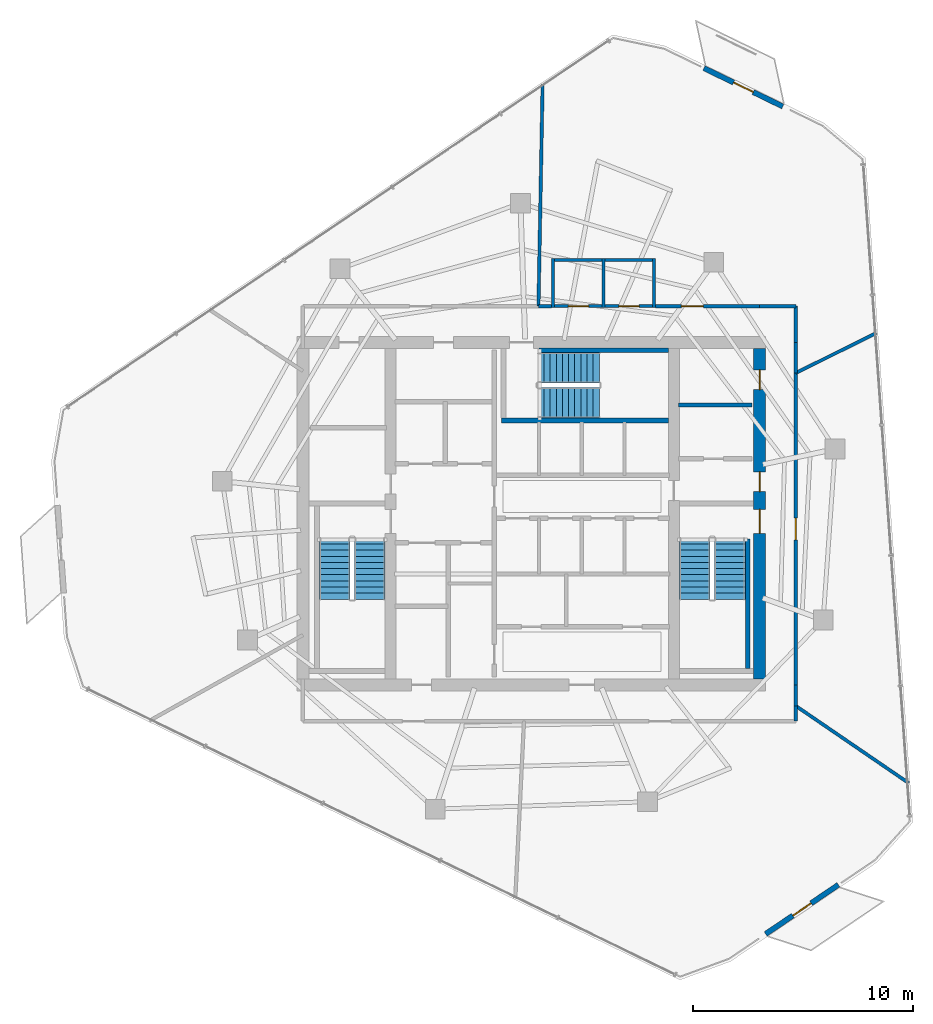
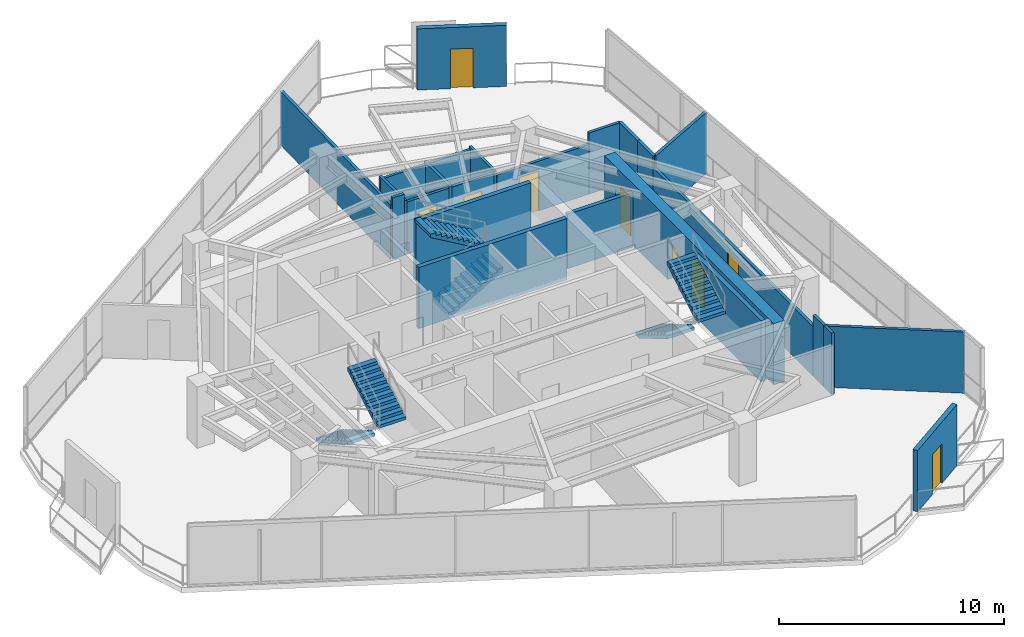
# One storey, part 18 of 20: 25 walls, 9 doors, 6 stair flights, 9 openings, 3 elements without a shape of their own.
"""IFC4 building model written with IfcOpenShell, lengths in metres."""

import ifcopenshell
import ifcopenshell.guid

model = None  # the IFC model being written
_history = None  # IfcOwnerHistory: only IFC2X3 demands one
_inside = {}  # id of a spatial element -> (the spatial element, [elements in it])
_under = {}  # id of a project, library or spatial element -> (it, [spatial elements below it])
_declared = {}  # id of a project -> (the project, [libraries it declares])
_typed = {}  # id of a type object -> (the type object, [elements of that type])
_made_of = {}  # id of a material, layer set ... -> (it, [elements and type objects made of it])


def new_model(schema):
    """Start an empty IFC model of exactly this schema.

    Asked for "IFC4X3", IfcOpenShell would pick the latest addendum, in which some entities
    have other attributes; the version numbers below select the first issue.
    IFC2X3 requires an IfcOwnerHistory on every rooted entity: one is made here for all.
    """
    global model, _history
    if schema == "IFC4X3":
        model = ifcopenshell.file(schema_version=(4, 3, 0, 0))
    else:
        model = ifcopenshell.file(schema=schema)
    _inside.clear()
    _under.clear()
    _declared.clear()
    _typed.clear()
    _made_of.clear()
    _history = None
    if model.schema == "IFC2X3":
        org = make("IfcOrganization", Name="unknown")
        user = make(
            "IfcPersonAndOrganization",
            ThePerson=make("IfcPerson", FamilyName="unknown"),
            TheOrganization=org,
        )
        app = make(
            "IfcApplication",
            ApplicationDeveloper=org,
            Version="unknown",
            ApplicationFullName="unknown",
            ApplicationIdentifier="unknown",
        )
        _history = make(
            "IfcOwnerHistory",
            OwningUser=user,
            OwningApplication=app,
            ChangeAction="ADDED",
            CreationDate=0,
        )
    return model


def make(cls, **values):
    """One entity of the class cls with the attributes given. An attribute that is None is left unset."""
    return model.create_entity(
        cls, **{name: value for name, value in values.items() if value is not None}
    )


def rooted(cls, **values):
    """An entity with a GlobalId (a new one), such as an element, a storey or a relation."""
    return make(cls, GlobalId=ifcopenshell.guid.new(), OwnerHistory=_history, **values)


def si_unit(unit_type, name, prefix=None):
    """IfcSIUnit, for example si_unit("LENGTHUNIT", "METRE", prefix="MILLI")."""
    return make("IfcSIUnit", UnitType=unit_type, Prefix=prefix, Name=name)


def assignment(units):
    """IfcUnitAssignment: the units of a project."""
    return None if units is None else make("IfcUnitAssignment", Units=units)


def point(xyz):
    """IfcCartesianPoint."""
    return None if xyz is None else make("IfcCartesianPoint", Coordinates=xyz)


def direction(xyz):
    """IfcDirection."""
    return None if xyz is None else make("IfcDirection", DirectionRatios=xyz)


def frame(location, z_axis=None, x_axis=None):
    """IfcAxis2Placement3D, a coordinate frame: its origin and axes. An axis left out is left unset."""
    return make(
        "IfcAxis2Placement3D",
        Location=point(location),
        Axis=direction(z_axis),
        RefDirection=direction(x_axis),
    )


def frame_2d(location, x_axis=None):
    """IfcAxis2Placement2D, a coordinate frame in the plane: its origin and x axis."""
    return make(
        "IfcAxis2Placement2D", Location=point(location), RefDirection=direction(x_axis)
    )


def origin():
    """The frame at (0, 0, 0) with its axes left unset."""
    return frame((0.0, 0.0, 0.0))


def place(relative_to, where):
    """IfcLocalPlacement: puts the frame where relative to a parent placement (None: the world)."""
    return make(
        "IfcLocalPlacement", PlacementRelTo=relative_to, RelativePlacement=where
    )


def context(
    kind, dimensions, precision=None, world=None, true_north=None, identifier=None
):
    """IfcGeometricRepresentationContext, for example the 3D "Model" context."""
    return make(
        "IfcGeometricRepresentationContext",
        ContextIdentifier=identifier,
        ContextType=kind,
        CoordinateSpaceDimension=dimensions,
        Precision=precision,
        WorldCoordinateSystem=world,
        TrueNorth=true_north,
    )


def subcontext(parent, identifier, kind, view, scale=None):
    """IfcGeometricRepresentationSubContext, for example "Body" below "Model"."""
    return make(
        "IfcGeometricRepresentationSubContext",
        ContextIdentifier=identifier,
        ContextType=kind,
        ParentContext=parent,
        TargetScale=scale,
        TargetView=view,
    )


def project(units=None, contexts=None):
    """IfcProject with its units and contexts."""
    return rooted(
        "IfcProject",
        Name="project",
        RepresentationContexts=contexts,
        UnitsInContext=assignment(units),
    )


def spatial(cls, under=None, at=None, **own):
    """A site, building, storey or space (cls), placed at a placement, below another one or the project."""
    s = rooted(cls, ObjectPlacement=at, **own)
    if under is not None:
        _under.setdefault(under.id(), (under, []))[1].append(s)
    return s


def polyline(points):
    """IfcPolyline through the points."""
    return make("IfcPolyline", Points=[point(p) for p in points])


def profile(cls, at=None, kind="AREA", **sizes):
    """A parametric profile (cls). Its sizes go by their IFC names, for example OverallWidth=200.0."""
    return make(cls, ProfileType=kind, Position=at, **sizes)


def rectangle(**sizes):
    """IfcRectangleProfileDef."""
    return profile("IfcRectangleProfileDef", **sizes)


def outline(outer, holes=None, kind="AREA"):
    """IfcArbitraryClosedProfileDef: a profile drawn as a closed curve; with holes, ...WithVoids."""
    if holes is None:
        return make("IfcArbitraryClosedProfileDef", ProfileType=kind, OuterCurve=outer)
    return make(
        "IfcArbitraryProfileDefWithVoids",
        ProfileType=kind,
        OuterCurve=outer,
        InnerCurves=holes,
    )


def extrude(swept, where, along, depth):
    """IfcExtrudedAreaSolid: the profile swept, set in the frame where, extruded along a direction by depth."""
    return make(
        "IfcExtrudedAreaSolid",
        SweptArea=swept,
        Position=where,
        ExtrudedDirection=direction(along),
        Depth=depth,
    )


def shape(context_of_items, identifier, shape_type, items):
    """IfcShapeRepresentation: the items that make up one representation, for example the "Body"."""
    return make(
        "IfcShapeRepresentation",
        ContextOfItems=context_of_items,
        RepresentationIdentifier=identifier,
        RepresentationType=shape_type,
        Items=items,
    )


def material(Name=None, Category=None):
    """IfcMaterial."""
    return make("IfcMaterial", Name=Name, Category=Category)


def layer(
    of_material, thickness, ventilated=None, Name=None, Category=None, Priority=None
):
    """IfcMaterialLayer: one layer of a wall or slab, of a material (None: an air gap)."""
    return make(
        "IfcMaterialLayer",
        Material=of_material,
        LayerThickness=thickness,
        IsVentilated=ventilated,
        Name=Name,
        Category=Category,
        Priority=Priority,
    )


def layer_set(layers, Name=None):
    """IfcMaterialLayerSet."""
    return make("IfcMaterialLayerSet", MaterialLayers=layers, LayerSetName=Name)


def made_of(thing, what):
    """Note that an element or type object is made of a material, layer set ...; save() writes the relation."""
    if what is not None:
        _made_of.setdefault(what.id(), (what, []))[1].append(thing)
    return thing


def type_object(cls, material=None, **own):
    """A type object (cls), such as IfcWallType, which elements share."""
    return made_of(rooted(cls, **own), material)


def element(
    cls,
    number,
    at=None,
    inside=None,
    cuts=None,
    type_object=None,
    material=None,
    context=None,
    identifier="Body",
    shape_type=None,
    held_by="IfcProductDefinitionShape",
    body=None,
    shapes=None,
    **own,
):
    """One element of the class cls, such as IfcWall. Its Tag is "e" and its number.

    at: its placement. inside: the storey or other place that contains it. cuts: it is an
    opening in that element (IfcRelVoidsElement). A single representation is given by context,
    identifier, shape_type and body (its items); several are given by shapes. held_by: the class
    of the entity that holds the representations. save() writes the other relations.
    """
    e = rooted(cls, Tag="e%d" % number, ObjectPlacement=at, **own)
    if body is not None:
        shapes = [shape(context, identifier, shape_type, body)]
    if shapes is not None:
        e.Representation = make(held_by, Representations=shapes)
    if inside is not None:
        _inside.setdefault(inside.id(), (inside, []))[1].append(e)
    if cuts is not None:
        rooted(
            "IfcRelVoidsElement", RelatingBuildingElement=cuts, RelatedOpeningElement=e
        )
    if type_object is not None:
        _typed.setdefault(type_object.id(), (type_object, []))[1].append(e)
    return made_of(e, material)


def fill(opening, filler):
    """IfcRelFillsElement: the door or window that sits in an opening."""
    return rooted(
        "IfcRelFillsElement",
        RelatingOpeningElement=opening,
        RelatedBuildingElement=filler,
    )


def aggregate(whole, parts):
    """IfcRelAggregates: a whole, such as a stair, and the parts it consists of."""
    return rooted("IfcRelAggregates", RelatingObject=whole, RelatedObjects=parts)


def save(model, path):
    """Write the relations noted so far, then the file.

    IfcRelAggregates (storeys below a building ...), IfcRelContainedInSpatialStructure (elements
    in a storey), IfcRelDefinesByType, IfcRelAssociatesMaterial and IfcRelDeclares: one each for
    every whole, place, type object, material and project.
    """
    for whole, parts in _under.values():
        aggregate(whole, parts)
    for where, things in _inside.values():
        rooted(
            "IfcRelContainedInSpatialStructure",
            RelatedElements=things,
            RelatingStructure=where,
        )
    for kind, things in _typed.values():
        rooted("IfcRelDefinesByType", RelatedObjects=things, RelatingType=kind)
    for what, things in _made_of.values():
        rooted("IfcRelAssociatesMaterial", RelatedObjects=things, RelatingMaterial=what)
    for by, libraries in _declared.values():
        rooted("IfcRelDeclares", RelatingContext=by, RelatedDefinitions=libraries)
    model.write(path)


model = new_model("IFC4")

# Units and contexts
model_context = context("Model", 3, precision=1e-05, world=origin(), true_north=direction((0.0, 1.0)))
body_context = subcontext(model_context, "Body", "Model", "MODEL_VIEW")
ifc_project = project(units=[si_unit("LENGTHUNIT", "METRE"), si_unit("AREAUNIT", "SQUARE_METRE"), si_unit("VOLUMEUNIT", "CUBIC_METRE"), si_unit("PLANEANGLEUNIT", "RADIAN"), si_unit("MASSUNIT", "GRAM", prefix="KILO")], contexts=[model_context])

# Site, building, storey
site_placement = place(None, origin())
site = spatial("IfcSite", under=ifc_project, at=site_placement, CompositionType="ELEMENT")
building_placement = place(site_placement, origin())
building = spatial("IfcBuilding", under=site, at=building_placement, Name="Qarnah Convention Tower", CompositionType="ELEMENT")
storey_placement = place(building_placement, frame((0.0, 0.0, 195.0)))
storey = spatial("IfcBuildingStorey", under=building, at=storey_placement, Name="L52", CompositionType="ELEMENT", Elevation=195.0)

# Wall, openings, doors
ifc_material_1 = material(Name="Concrete C60/75", Category="concrete")
ifc_layer_1 = layer(ifc_material_1, 0.550048828125)
ifc_layer_set_1 = layer_set([ifc_layer_1], Name="Concrete C60/75")
wall_type_1 = type_object("IfcWallType", Name="WL-CORE-550", PredefinedType="SHEAR", material=ifc_layer_set_1)
wall_1_placement = place(storey_placement, frame((47.60009765625, 18.875, 0.0), z_axis=(0.0, 0.0, 1.0), x_axis=(0.0, 1.0, 0.0)))
wall_1 = element("IfcWall", 1, at=wall_1_placement, inside=storey, type_object=wall_type_1, Name="L52 core east shear wall", PredefinedType="SHEAR", context=body_context, shape_type="SweptSolid", body=[
    extrude(rectangle(XDim=15.050048828125, YDim=0.550048828125, at=frame_2d((7.52490234375, 0.0))), origin(), (0.0, 0.0, 1.0), 3.320068359375),
])
opening_1_placement = place(wall_1_placement, frame((6.625, 0.0, 0.0)))
opening_1 = element("IfcOpeningElement", 2, at=opening_1_placement, cuts=wall_1, Name="Opening D-5202", PredefinedType="OPENING", context=body_context, shape_type="SweptSolid", body=[
    extrude(rectangle(XDim=1.10009765625, YDim=2.14990234375, at=frame_2d((0.550048828125, 1.074951171875))), frame((0.0, 0.284912109375, 0.0), z_axis=(0.0, -1.0, 0.0), x_axis=(1.0, 0.0, 0.0)), (0.0, 0.0, 1.0), 0.570068359375),
])
opening_2_placement = place(wall_1_placement, frame((8.52490234375, 0.0, 0.0)))
opening_2 = element("IfcOpeningElement", 3, at=opening_2_placement, cuts=wall_1, Name="Opening D-5206", PredefinedType="OPENING", context=body_context, shape_type="SweptSolid", body=[
    extrude(rectangle(XDim=0.89990234375, YDim=2.10009765625, at=frame_2d((0.449951171875, 1.050048828125))), frame((0.0, 0.284912109375, 0.0), z_axis=(0.0, -1.0, 0.0), x_axis=(1.0, 0.0, 0.0)), (0.0, 0.0, 1.0), 0.570068359375),
])
opening_3_placement = place(wall_1_placement, frame((13.175048828125, 0.0, 0.0)))
opening_3 = element("IfcOpeningElement", 4, at=opening_3_placement, cuts=wall_1, Name="Opening D-5212", PredefinedType="OPENING", context=body_context, shape_type="SweptSolid", body=[
    extrude(rectangle(XDim=0.89990234375, YDim=2.10009765625, at=frame_2d((0.449951171875, 1.050048828125))), frame((0.0, 0.284912109375, 0.0), z_axis=(0.0, -1.0, 0.0), x_axis=(1.0, 0.0, 0.0)), (0.0, 0.0, 1.0), 0.570068359375),
])
ifc_material_2 = material(Name="Structural steel S355JR", Category="steel")
door_type_1 = type_object("IfcDoorType", Name="DT-RISER-900", OperationType="NOTDEFINED", PredefinedType="DOOR", material=ifc_material_2)
door_1_placement = place(opening_2_placement, origin())
door_1 = element("IfcDoor", 5, at=door_1_placement, inside=storey, type_object=door_type_1, Name="Door D-5206", OperationType="SINGLE_SWING_RIGHT", OverallHeight=2.10009765625, OverallWidth=0.89990234375, PredefinedType="DOOR", context=body_context, shape_type="SweptSolid", body=[
    extrude(rectangle(XDim=0.89990234375, YDim=2.10009765625, at=frame_2d((0.449951171875, 1.050048828125))), frame((0.0, 0.02490234375, 0.0), z_axis=(0.0, -1.0, 0.0), x_axis=(1.0, 0.0, 0.0)), (0.0, 0.0, 1.0), 0.050048828125),
])
fill(opening_2, door_1)
door_2_placement = place(opening_3_placement, origin())
door_2 = element("IfcDoor", 6, at=door_2_placement, inside=storey, type_object=door_type_1, Name="Door D-5212", OperationType="SINGLE_SWING_RIGHT", OverallHeight=2.10009765625, OverallWidth=0.89990234375, PredefinedType="DOOR", context=body_context, shape_type="SweptSolid", body=[
    extrude(rectangle(XDim=0.89990234375, YDim=2.10009765625, at=frame_2d((0.449951171875, 1.050048828125))), frame((0.0, 0.02490234375, 0.0), z_axis=(0.0, -1.0, 0.0), x_axis=(1.0, 0.0, 0.0)), (0.0, 0.0, 1.0), 0.050048828125),
])
fill(opening_3, door_2)
door_type_2 = type_object("IfcDoorType", Name="DT-STAIR-1100", OperationType="NOTDEFINED", PredefinedType="DOOR", material=ifc_material_2)
door_3_placement = place(opening_1_placement, origin())
door_3 = element("IfcDoor", 7, at=door_3_placement, inside=storey, type_object=door_type_2, Name="Door D-5202", OperationType="SINGLE_SWING_RIGHT", OverallHeight=2.14990234375, OverallWidth=1.10009765625, PredefinedType="DOOR", context=body_context, shape_type="SweptSolid", body=[
    extrude(rectangle(XDim=1.10009765625, YDim=2.14990234375, at=frame_2d((0.550048828125, 1.074951171875))), frame((0.0, 0.02490234375, 0.0), z_axis=(0.0, -1.0, 0.0), x_axis=(1.0, 0.0, 0.0)), (0.0, 0.0, 1.0), 0.050048828125),
])
fill(opening_1, door_3)

# Walls
ifc_material_3 = material(Name="Concrete C45/55", Category="concrete")
ifc_layer_2 = layer(ifc_material_3, 0.199951171875)
ifc_layer_set_2 = layer_set([ifc_layer_2], Name="Concrete C45/55")
wall_type_2 = type_object("IfcWallType", Name="WL-CORE-PART-200", PredefinedType="SOLIDWALL", material=ifc_layer_set_2)
wall_2_placement = place(storey_placement, frame((43.89990234375, 31.35009765625, 0.0), z_axis=(0.0, 0.0, 1.0), x_axis=(1.0, 0.0, 0.0)))
element("IfcWall", 8, at=wall_2_placement, inside=storey, type_object=wall_type_2, Name="L52 interior wall IW-L52-WTRN", PredefinedType="SOLIDWALL", context=body_context, shape_type="SweptSolid", body=[
    extrude(rectangle(XDim=3.35009765625, YDim=0.199951171875, at=frame_2d((1.675048828125, 0.0))), origin(), (0.0, 0.0, 1.0), 2.948974609375),
])
ifc_layer_3 = layer(ifc_material_1, 0.219970703125)
ifc_layer_set_3 = layer_set([ifc_layer_3], Name="Concrete C60/75")
wall_type_3 = type_object("IfcWallType", Name="WL-CORE-STAIR-220", PredefinedType="SHEAR", material=ifc_layer_set_3)
wall_3_placement = place(storey_placement, frame((47.06005859375, 19.35009765625, 0.0), z_axis=(0.0, 0.0, 1.0), x_axis=(0.0, 1.0, 0.0)))
element("IfcWall", 9, at=wall_3_placement, inside=storey, type_object=wall_type_3, Name="L52 stair shaft shear wall SW-L52-ST2E", PredefinedType="SHEAR", context=body_context, shape_type="SweptSolid", body=[
    extrude(rectangle(XDim=5.89990234375, YDim=0.219970703125, at=frame_2d((2.949951171875, 0.0))), origin(), (0.0, 0.0, 1.0), 3.320068359375),
])
wall_4_placement = place(storey_placement, frame((35.840087890625, 30.639892578125, 0.0), z_axis=(0.0, 0.0, 1.0), x_axis=(1.0, 0.0, 0.0)))
element("IfcWall", 10, at=wall_4_placement, inside=storey, type_object=wall_type_3, Name="L52 stair shaft shear wall SW-L52-ST3S", PredefinedType="SHEAR", context=body_context, shape_type="SweptSolid", body=[
    extrude(rectangle(XDim=7.60986328125, YDim=0.219970703125, at=frame_2d((3.804931640625, 0.0))), origin(), (0.0, 0.0, 1.0), 3.320068359375),
])
wall_5_placement = place(storey_placement, frame((37.550048828125, 33.840087890625, 0.0), z_axis=(0.0, 0.0, 1.0), x_axis=(1.0, 0.0, 0.0)))
element("IfcWall", 11, at=wall_5_placement, inside=storey, type_object=wall_type_3, Name="L52 stair shaft shear wall SW-L52-ST3N", PredefinedType="SHEAR", context=body_context, shape_type="SweptSolid", body=[
    extrude(rectangle(XDim=5.89990234375, YDim=0.219970703125, at=frame_2d((2.949951171875, 0.0))), origin(), (0.0, 0.0, 1.0), 3.320068359375),
])

# Wall, opening, door
ifc_material_4 = material(Name="Precast concrete C45/55", Category="concrete")
ifc_layer_4 = layer(ifc_material_4, 0.239990234375)
ifc_layer_set_4 = layer_set([ifc_layer_4], Name="Precast concrete C45/55")
wall_type_4 = type_object("IfcWallType", Name="WL-EXT-BAL-240", PredefinedType="SOLIDWALL", material=ifc_layer_set_4)
wall_6_placement = place(storey_placement, frame((45.06396484375, 46.694091796875, 0.0), z_axis=(0.0, 0.0, 1.0), x_axis=(0.899316845603, -0.437297623152, 0.0)))
wall_6 = element("IfcWall", 12, at=wall_6_placement, inside=storey, type_object=wall_type_4, Name="L52 loggia threshold wall BAL-L52-C1", PredefinedType="SOLIDWALL", context=body_context, shape_type="SweptSolid", body=[
    extrude(rectangle(XDim=3.99951171875, YDim=0.239990234375, at=frame_2d((1.999755859375, 0.0))), origin(), (0.0, 0.0, 1.0), 3.320068359375),
])
opening_4_placement = place(wall_6_placement, frame((1.5, 0.0, 0.0)))
opening_4 = element("IfcOpeningElement", 13, at=opening_4_placement, cuts=wall_6, Name="Opening BD-5201", PredefinedType="OPENING", context=body_context, shape_type="SweptSolid", body=[
    extrude(rectangle(XDim=1.0, YDim=2.14990234375, at=frame_2d((0.5, 1.074951171875))), frame((0.0, 0.1298828125, 0.0), z_axis=(0.0, -1.0, 0.0), x_axis=(1.0, 0.0, 0.0)), (0.0, 0.0, 1.0), 0.260009765625),
])
ifc_material_5 = material(Name="Black anodised aluminium", Category="aluminium")
door_type_3 = type_object("IfcDoorType", Name="DT-BAL-1000", OperationType="NOTDEFINED", PredefinedType="DOOR", material=ifc_material_5)
door_4_placement = place(opening_4_placement, origin())
door_4 = element("IfcDoor", 14, at=door_4_placement, inside=storey, type_object=door_type_3, Name="L52 balcony terrace door BAL-L52-C1", OperationType="SINGLE_SWING_LEFT", OverallHeight=2.14990234375, OverallWidth=1.0, PredefinedType="DOOR", context=body_context, shape_type="SweptSolid", body=[
    extrude(rectangle(XDim=1.0, YDim=2.14990234375, at=frame_2d((0.5, 1.074951171875))), frame((0.0, 0.02490234375, 0.0), z_axis=(0.0, -1.0, 0.0), x_axis=(1.0, 0.0, 0.0)), (0.0, 0.0, 1.0), 0.050048828125),
])
fill(opening_4, door_4)

wall_7_placement = place(storey_placement, frame((51.18994140625, 9.4970703125, 0.0), z_axis=(0.0, 0.0, 1.0), x_axis=(-0.82830340886, -0.560279807659, 0.0)))
wall_7 = element("IfcWall", 15, at=wall_7_placement, inside=storey, type_object=wall_type_4, Name="L52 loggia threshold wall BAL-L52-C3", PredefinedType="SOLIDWALL", context=body_context, shape_type="SweptSolid", body=[
    extrude(rectangle(XDim=3.999755859375, YDim=0.239990234375, at=frame_2d((2.0, 0.0))), origin(), (0.0, 0.0, 1.0), 3.320068359375),
])
opening_5_placement = place(wall_7_placement, frame((1.5, 0.0, 0.0)))
opening_5 = element("IfcOpeningElement", 16, at=opening_5_placement, cuts=wall_7, Name="Opening BD-5203", PredefinedType="OPENING", context=body_context, shape_type="SweptSolid", body=[
    extrude(rectangle(XDim=1.0, YDim=2.14990234375, at=frame_2d((0.5, 1.074951171875))), frame((0.0, 0.1298828125, 0.0), z_axis=(0.0, -1.0, 0.0), x_axis=(1.0, 0.0, 0.0)), (0.0, 0.0, 1.0), 0.260009765625),
])
door_5_placement = place(opening_5_placement, origin())
door_5 = element("IfcDoor", 17, at=door_5_placement, inside=storey, type_object=door_type_3, Name="L52 balcony terrace door BAL-L52-C3", OperationType="SINGLE_SWING_LEFT", OverallHeight=2.14990234375, OverallWidth=1.0, PredefinedType="DOOR", context=body_context, shape_type="SweptSolid", body=[
    extrude(rectangle(XDim=1.0, YDim=2.14990234375, at=frame_2d((0.5, 1.074951171875))), frame((0.0, 0.02490234375, 0.0), z_axis=(0.0, -1.0, 0.0), x_axis=(1.0, 0.0, 0.0)), (0.0, 0.0, 1.0), 0.050048828125),
])
fill(opening_5, door_5)

# Walls
ifc_material_6 = material(Name="Gypsum partition board")
ifc_layer_5 = layer(ifc_material_6, 0.14990234375)
ifc_layer_set_5 = layer_set([ifc_layer_5], Name="Gypsum partition board")
wall_type_5 = type_object("IfcWallType", Name="WL-SUITE-150", PredefinedType="PARTITIONING", material=ifc_layer_set_5)
wall_8_placement = place(storey_placement, frame((37.718994140625, 45.97998046875, 0.0), z_axis=(0.0, 0.0, 1.0), x_axis=(-0.018650953611, -0.999826055836, 0.0)))
element("IfcWall", 18, at=wall_8_placement, inside=storey, type_object=wall_type_5, Name="L52 interior wall IW-L52-R-08", PredefinedType="PARTITIONING", context=body_context, shape_type="SweptSolid", body=[
    extrude(rectangle(XDim=10.131591796875, YDim=0.14990234375, at=frame_2d((5.06591796875, 0.0))), origin(), (0.0, 0.0, 1.0), 2.905029296875),
])
wall_9_placement = place(storey_placement, frame((37.530029296875, 35.85009765625, 0.0), z_axis=(0.0, 0.0, 1.0), x_axis=(1.0, 0.0, 0.0)))
element("IfcWall", 19, at=wall_9_placement, inside=storey, type_object=wall_type_5, Name="L52 interior wall IW-L52-R-09", PredefinedType="PARTITIONING", context=body_context, shape_type="SweptSolid", body=[
    extrude(rectangle(XDim=0.599853515625, YDim=0.14990234375, at=frame_2d((0.2998046875, 0.0))), origin(), (0.0, 0.0, 1.0), 3.320068359375),
])

# Wall, opening, door
wall_10_placement = place(storey_placement, frame((42.8701171875, 35.85009765625, 0.0), z_axis=(0.0, 0.0, 1.0), x_axis=(1.0, 0.0, 0.0)))
wall_10 = element("IfcWall", 20, at=wall_10_placement, inside=storey, type_object=wall_type_5, Name="L52 interior wall IW-L52-R-10", PredefinedType="PARTITIONING", context=body_context, shape_type="SweptSolid", body=[
    extrude(rectangle(XDim=4.72998046875, YDim=0.14990234375, at=frame_2d((2.364990234375, 0.0))), origin(), (0.0, 0.0, 1.0), 2.697021484375),
])
opening_6_placement = place(wall_10_placement, frame((1.1689453125, 0.0, 0.0)))
opening_6 = element("IfcOpeningElement", 21, at=opening_6_placement, cuts=wall_10, Name="Opening D-5220", PredefinedType="OPENING", context=body_context, shape_type="SweptSolid", body=[
    extrude(rectangle(XDim=1.0, YDim=2.14990234375, at=frame_2d((0.5, 1.074951171875))), frame((0.0, 0.0849609375, 0.0), z_axis=(0.0, -1.0, 0.0), x_axis=(1.0, 0.0, 0.0)), (0.0, 0.0, 1.0), 0.169921875),
])
ifc_material_7 = material(Name="Oak timber veneer", Category="wood")
door_type_4 = type_object("IfcDoorType", Name="DT-OFFICE-1000", OperationType="NOTDEFINED", PredefinedType="DOOR", material=ifc_material_7)
door_6_placement = place(opening_6_placement, origin())
door_6 = element("IfcDoor", 22, at=door_6_placement, inside=storey, type_object=door_type_4, Name="Door D-5220", OperationType="SINGLE_SWING_RIGHT", OverallHeight=2.14990234375, OverallWidth=1.0, PredefinedType="DOOR", context=body_context, shape_type="SweptSolid", body=[
    extrude(rectangle(XDim=1.0, YDim=2.14990234375, at=frame_2d((0.5, 1.074951171875))), frame((0.0, 0.02490234375, 0.0), z_axis=(0.0, -1.0, 0.0), x_axis=(1.0, 0.0, 0.0)), (0.0, 0.0, 1.0), 0.050048828125),
])
fill(opening_6, door_6)

# Walls
wall_11_placement = place(storey_placement, frame((47.60009765625, 35.85009765625, 0.0), z_axis=(0.0, 0.0, 1.0), x_axis=(1.0, 0.0, 0.0)))
element("IfcWall", 23, at=wall_11_placement, inside=storey, type_object=wall_type_5, Name="L52 interior wall IW-L52-R-11", PredefinedType="PARTITIONING", context=body_context, shape_type="SweptSolid", body=[
    extrude(rectangle(XDim=1.64990234375, YDim=0.14990234375, at=frame_2d((0.824951171875, 0.0))), origin(), (0.0, 0.0, 1.0), 3.320068359375),
])
wall_12_placement = place(storey_placement, frame((49.25, 35.85009765625, 0.0), z_axis=(0.0, 0.0, 1.0), x_axis=(0.0, -1.0, 0.0)))
element("IfcWall", 24, at=wall_12_placement, inside=storey, type_object=wall_type_5, Name="L52 interior wall IW-L52-R-12", PredefinedType="PARTITIONING", context=body_context, shape_type="SweptSolid", body=[
    extrude(rectangle(XDim=1.650146484375, YDim=0.14990234375, at=frame_2d((0.8251953125, 0.0))), origin(), (0.0, 0.0, 1.0), 3.320068359375),
])
wall_13_placement = place(storey_placement, frame((49.25, 34.199951171875, 0.0), z_axis=(0.0, 0.0, 1.0), x_axis=(0.0, -1.0, 0.0)))
element("IfcWall", 25, at=wall_13_placement, inside=storey, type_object=wall_type_5, Name="L52 interior wall IW-L52-R-13", PredefinedType="PARTITIONING", context=body_context, shape_type="SweptSolid", body=[
    extrude(rectangle(XDim=1.39306640625, YDim=0.14990234375, at=frame_2d((0.696533203125, 0.0))), origin(), (0.0, 0.0, 1.0), 3.320068359375),
])
wall_14_placement = place(storey_placement, frame((49.25, 32.806884765625, 0.0), z_axis=(0.0, 0.0, 1.0), x_axis=(0.895484424641, 0.445092850117, 0.0)))
element("IfcWall", 26, at=wall_14_placement, inside=storey, type_object=wall_type_5, Name="L52 interior wall IW-L52-R-14", PredefinedType="PARTITIONING", context=body_context, shape_type="SweptSolid", body=[
    extrude(rectangle(XDim=4.1005859375, YDim=0.14990234375, at=frame_2d((2.05029296875, 0.0))), origin(), (0.0, 0.0, 1.0), 3.320068359375),
])
wall_15_placement = place(storey_placement, frame((54.39599609375, 14.1279296875, 0.0), z_axis=(0.0, 0.0, 1.0), x_axis=(-0.825595375388, 0.56426259502, 0.0)))
element("IfcWall", 27, at=wall_15_placement, inside=storey, type_object=wall_type_5, Name="L52 interior wall IW-L52-R-22", PredefinedType="PARTITIONING", context=body_context, shape_type="SweptSolid", body=[
    extrude(rectangle(XDim=6.233154296875, YDim=0.14990234375, at=frame_2d((3.11669921875, 0.0))), origin(), (0.0, 0.0, 1.0), 3.320068359375),
])
wall_16_placement = place(storey_placement, frame((49.25, 17.64501953125, 0.0), z_axis=(0.0, 0.0, 1.0), x_axis=(0.0, -1.0, 0.0)))
element("IfcWall", 28, at=wall_16_placement, inside=storey, type_object=wall_type_5, Name="L52 interior wall IW-L52-R-23", PredefinedType="PARTITIONING", context=body_context, shape_type="SweptSolid", body=[
    extrude(rectangle(XDim=0.695068359375, YDim=0.14990234375, at=frame_2d((0.34765625, 0.0))), origin(), (0.0, 0.0, 1.0), 3.320068359375),
])

# Wall, opening, door
wall_17_placement = place(storey_placement, frame((49.25, 32.806884765625, 0.0), z_axis=(0.0, 0.0, 1.0), x_axis=(0.0, -1.0, 0.0)))
wall_17 = element("IfcWall", 29, at=wall_17_placement, inside=storey, type_object=wall_type_5, Name="L52 interior wall IW-L52-R-25", PredefinedType="PARTITIONING", context=body_context, shape_type="SweptSolid", body=[
    extrude(rectangle(XDim=14.206787109375, YDim=0.14990234375, at=frame_2d((7.103515625, 0.0))), origin(), (0.0, 0.0, 1.0), 2.697021484375),
])
opening_7_placement = place(wall_17_placement, frame((6.60400390625, 0.0, 0.0)))
opening_7 = element("IfcOpeningElement", 30, at=opening_7_placement, cuts=wall_17, Name="Opening D-5225", PredefinedType="OPENING", context=body_context, shape_type="SweptSolid", body=[
    extrude(rectangle(XDim=1.0, YDim=2.14990234375, at=frame_2d((0.5, 1.074951171875))), frame((0.0, 0.0849609375, 0.0), z_axis=(0.0, -1.0, 0.0), x_axis=(1.0, 0.0, 0.0)), (0.0, 0.0, 1.0), 0.169921875),
])
door_7_placement = place(opening_7_placement, origin())
door_7 = element("IfcDoor", 31, at=door_7_placement, inside=storey, type_object=door_type_4, Name="Door D-5225", OperationType="SINGLE_SWING_LEFT", OverallHeight=2.14990234375, OverallWidth=1.0, PredefinedType="DOOR", context=body_context, shape_type="SweptSolid", body=[
    extrude(rectangle(XDim=1.0, YDim=2.14990234375, at=frame_2d((0.5, 1.074951171875))), frame((0.0, 0.02490234375, 0.0), z_axis=(0.0, -1.0, 0.0), x_axis=(1.0, 0.0, 0.0)), (0.0, 0.0, 1.0), 0.050048828125),
])
fill(opening_7, door_7)

# Wall
wall_18_placement = place(storey_placement, frame((49.25, 18.60009765625, 0.0), z_axis=(0.0, 0.0, 1.0), x_axis=(0.0, -1.0, 0.0)))
element("IfcWall", 32, at=wall_18_placement, inside=storey, type_object=wall_type_5, Name="L52 interior wall IW-L52-R-26", PredefinedType="PARTITIONING", context=body_context, shape_type="SweptSolid", body=[
    extrude(rectangle(XDim=0.955078125, YDim=0.14990234375, at=frame_2d((0.4775390625, 0.0))), origin(), (0.0, 0.0, 1.0), 3.320068359375),
])

# Wall, opening, door
ifc_layer_6 = layer(ifc_material_6, 0.139892578125)
ifc_layer_set_6 = layer_set([ifc_layer_6], Name="Gypsum partition board")
wall_type_6 = type_object("IfcWallType", Name="WL-WET-140", PredefinedType="PARTITIONING", material=ifc_layer_set_6)
wall_19_placement = place(storey_placement, frame((38.1298828125, 35.85009765625, 0.0), z_axis=(0.0, 0.0, 1.0), x_axis=(1.0, 0.0, 0.0)))
wall_19 = element("IfcWall", 33, at=wall_19_placement, inside=storey, type_object=wall_type_6, Name="L52 interior wall IW-L52-WCM-1", PredefinedType="PARTITIONING", context=body_context, shape_type="SweptSolid", body=[
    extrude(rectangle(XDim=2.440185546875, YDim=0.139892578125, at=frame_2d((1.22021484375, 0.0))), origin(), (0.0, 0.0, 1.0), 2.841064453125),
])
opening_8_placement = place(wall_19_placement, frame((0.760009765625, 0.0, 0.0)))
opening_8 = element("IfcOpeningElement", 34, at=opening_8_placement, cuts=wall_19, Name="Opening D-5218", PredefinedType="OPENING", context=body_context, shape_type="SweptSolid", body=[
    extrude(rectangle(XDim=0.919921875, YDim=2.10009765625, at=frame_2d((0.4599609375, 1.050048828125))), frame((0.0, 0.079833984375, 0.0), z_axis=(0.0, -1.0, 0.0), x_axis=(1.0, 0.0, 0.0)), (0.0, 0.0, 1.0), 0.159912109375),
])
door_type_5 = type_object("IfcDoorType", Name="DT-WC-920", OperationType="NOTDEFINED", PredefinedType="DOOR", material=ifc_material_7)
door_8_placement = place(opening_8_placement, origin())
door_8 = element("IfcDoor", 35, at=door_8_placement, inside=storey, type_object=door_type_5, Name="Door D-5218", OperationType="SINGLE_SWING_RIGHT", OverallHeight=2.10009765625, OverallWidth=0.919921875, PredefinedType="DOOR", context=body_context, shape_type="SweptSolid", body=[
    extrude(rectangle(XDim=0.919921875, YDim=2.10009765625, at=frame_2d((0.4599609375, 1.050048828125))), frame((0.0, 0.02490234375, 0.0), z_axis=(0.0, -1.0, 0.0), x_axis=(1.0, 0.0, 0.0)), (0.0, 0.0, 1.0), 0.050048828125),
])
fill(opening_8, door_8)

# Walls
wall_20_placement = place(storey_placement, frame((40.5, 35.780029296875, 0.0), z_axis=(0.0, 0.0, 1.0), x_axis=(0.0, 1.0, 0.0)))
element("IfcWall", 36, at=wall_20_placement, inside=storey, type_object=wall_type_6, Name="L52 interior wall IW-L52-WCM-2", PredefinedType="PARTITIONING", context=body_context, shape_type="SweptSolid", body=[
    extrude(rectangle(XDim=2.239990234375, YDim=0.139892578125, at=frame_2d((1.1201171875, 0.0))), origin(), (0.0, 0.0, 1.0), 2.948974609375),
])
wall_21_placement = place(storey_placement, frame((40.570068359375, 37.949951171875, 0.0), z_axis=(0.0, 0.0, 1.0), x_axis=(-1.0, 0.0, 0.0)))
element("IfcWall", 37, at=wall_21_placement, inside=storey, type_object=wall_type_6, Name="L52 interior wall IW-L52-WCM-3", PredefinedType="PARTITIONING", context=body_context, shape_type="SweptSolid", body=[
    extrude(rectangle(XDim=2.440185546875, YDim=0.139892578125, at=frame_2d((1.22021484375, 0.0))), origin(), (0.0, 0.0, 1.0), 2.841064453125),
])
wall_22_placement = place(storey_placement, frame((38.199951171875, 38.02001953125, 0.0), z_axis=(0.0, 0.0, 1.0), x_axis=(0.0, -1.0, 0.0)))
element("IfcWall", 38, at=wall_22_placement, inside=storey, type_object=wall_type_6, Name="L52 interior wall IW-L52-WCM-4", PredefinedType="PARTITIONING", context=body_context, shape_type="SweptSolid", body=[
    extrude(rectangle(XDim=2.239990234375, YDim=0.139892578125, at=frame_2d((1.1201171875, 0.0))), origin(), (0.0, 0.0, 1.0), 2.948974609375),
])

# Wall, opening, door
wall_23_placement = place(storey_placement, frame((40.429931640625, 35.85009765625, 0.0), z_axis=(0.0, 0.0, 1.0), x_axis=(1.0, 0.0, 0.0)))
wall_23 = element("IfcWall", 39, at=wall_23_placement, inside=storey, type_object=wall_type_6, Name="L52 interior wall IW-L52-WCF-1", PredefinedType="PARTITIONING", context=body_context, shape_type="SweptSolid", body=[
    extrude(rectangle(XDim=2.440185546875, YDim=0.139892578125, at=frame_2d((1.22021484375, 0.0))), origin(), (0.0, 0.0, 1.0), 2.841064453125),
])
opening_9_placement = place(wall_23_placement, frame((0.760009765625, 0.0, 0.0)))
opening_9 = element("IfcOpeningElement", 40, at=opening_9_placement, cuts=wall_23, Name="Opening D-5219", PredefinedType="OPENING", context=body_context, shape_type="SweptSolid", body=[
    extrude(rectangle(XDim=0.919921875, YDim=2.10009765625, at=frame_2d((0.4599609375, 1.050048828125))), frame((0.0, 0.079833984375, 0.0), z_axis=(0.0, -1.0, 0.0), x_axis=(1.0, 0.0, 0.0)), (0.0, 0.0, 1.0), 0.159912109375),
])
door_9_placement = place(opening_9_placement, origin())
door_9 = element("IfcDoor", 41, at=door_9_placement, inside=storey, type_object=door_type_5, Name="Door D-5219", OperationType="SINGLE_SWING_LEFT", OverallHeight=2.10009765625, OverallWidth=0.919921875, PredefinedType="DOOR", context=body_context, shape_type="SweptSolid", body=[
    extrude(rectangle(XDim=0.919921875, YDim=2.10009765625, at=frame_2d((0.4599609375, 1.050048828125))), frame((0.0, 0.02490234375, 0.0), z_axis=(0.0, -1.0, 0.0), x_axis=(1.0, 0.0, 0.0)), (0.0, 0.0, 1.0), 0.050048828125),
])
fill(opening_9, door_9)

# Walls
wall_24_placement = place(storey_placement, frame((42.800048828125, 35.780029296875, 0.0), z_axis=(0.0, 0.0, 1.0), x_axis=(0.0, 1.0, 0.0)))
element("IfcWall", 42, at=wall_24_placement, inside=storey, type_object=wall_type_6, Name="L52 interior wall IW-L52-WCF-2", PredefinedType="PARTITIONING", context=body_context, shape_type="SweptSolid", body=[
    extrude(rectangle(XDim=2.239990234375, YDim=0.139892578125, at=frame_2d((1.1201171875, 0.0))), origin(), (0.0, 0.0, 1.0), 2.948974609375),
])
wall_25_placement = place(storey_placement, frame((42.8701171875, 37.949951171875, 0.0), z_axis=(0.0, 0.0, 1.0), x_axis=(-1.0, 0.0, 0.0)))
element("IfcWall", 43, at=wall_25_placement, inside=storey, type_object=wall_type_6, Name="L52 interior wall IW-L52-WCF-3", PredefinedType="PARTITIONING", context=body_context, shape_type="SweptSolid", body=[
    extrude(rectangle(XDim=2.440185546875, YDim=0.139892578125, at=frame_2d((1.22021484375, 0.0))), origin(), (0.0, 0.0, 1.0), 2.841064453125),
])

# Stair, stair flights
ifc_material_8 = material(Name="Concrete C50/60", Category="concrete")
stair_type = type_object("IfcStairType", Name="STR-OFF", PredefinedType="HALF_TURN_STAIR", material=ifc_material_8)
stair_1_placement = place(storey_placement, origin())
stair_1 = element("IfcStair", 44, at=stair_1_placement, inside=storey, type_object=stair_type, Name="L52 Core exit stair ST-1", PredefinedType="HALF_TURN_STAIR")
stair_flight_type = type_object("IfcStairFlightType", Name="FLT-OFF", PredefinedType="STRAIGHT", material=ifc_material_8)
stair_flight_1_placement = place(storey_placement, frame((28.25, 25.300048828125, 0.0), z_axis=(0.0, 0.0, 1.0), x_axis=(0.0, -1.0, 0.0)))
stair_flight_1 = element("IfcStairFlight", 45, at=stair_flight_1_placement, type_object=stair_flight_type, Name="ST-1 flight 1", NumberOfRisers=11, NumberOfTreads=10, PredefinedType="STRAIGHT", RiserHeight=0.163636364, TreadLength=0.28, context=body_context, shape_type="SweptSolid", body=[
    extrude(outline(polyline([(0.0, 0.0), (0.0, 0.16357421875), (0.280029296875, 0.16357421875), (0.280029296875, 0.327392578125), (0.56005859375, 0.327392578125), (0.56005859375, 0.490966796875), (0.840087890625, 0.490966796875), (0.840087890625, 0.654541015625), (1.1201171875, 0.654541015625), (1.1201171875, 0.818115234375), (1.39990234375, 0.818115234375), (1.39990234375, 0.98193359375), (1.679931640625, 0.98193359375), (1.679931640625, 1.1455078125), (1.9599609375, 1.1455078125), (1.9599609375, 1.30908203125), (2.239990234375, 1.30908203125), (2.239990234375, 1.47265625), (2.52001953125, 1.47265625), (2.52001953125, 1.636474609375), (2.800048828125, 1.636474609375), (2.800048828125, 1.800048828125), (2.800048828125, 1.462646484375), (0.297119140625, 0.0), (0.0, 0.0)])), frame((0.0, 0.699951171875, 0.0), z_axis=(0.0, -1.0, 0.0), x_axis=(1.0, 0.0, 0.0)), (0.0, 0.0, 1.0), 1.39990234375),
])
stair_flight_2_placement = place(storey_placement, frame((29.85009765625, 22.5, 1.800048828125), z_axis=(0.0, 0.0, 1.0), x_axis=(0.0, 1.0, 0.0)))
stair_flight_2 = element("IfcStairFlight", 46, at=stair_flight_2_placement, type_object=stair_flight_type, Name="ST-1 flight 2", NumberOfRisers=11, NumberOfTreads=10, PredefinedType="STRAIGHT", RiserHeight=0.163636364, TreadLength=0.28, context=body_context, shape_type="SweptSolid", body=[
    extrude(outline(polyline([(0.0, 0.0), (0.0, 0.16357421875), (0.280029296875, 0.16357421875), (0.280029296875, 0.327392578125), (0.56005859375, 0.327392578125), (0.56005859375, 0.490966796875), (0.840087890625, 0.490966796875), (0.840087890625, 0.654541015625), (1.1201171875, 0.654541015625), (1.1201171875, 0.818115234375), (1.39990234375, 0.818115234375), (1.39990234375, 0.98193359375), (1.679931640625, 0.98193359375), (1.679931640625, 1.1455078125), (1.9599609375, 1.1455078125), (1.9599609375, 1.30908203125), (2.239990234375, 1.30908203125), (2.239990234375, 1.47265625), (2.52001953125, 1.47265625), (2.52001953125, 1.636474609375), (2.800048828125, 1.636474609375), (2.800048828125, 1.800048828125), (2.800048828125, 1.462646484375), (0.297119140625, 0.0), (0.0, 0.0)])), frame((0.0, 0.699951171875, 0.0), z_axis=(0.0, -1.0, 0.0), x_axis=(1.0, 0.0, 0.0)), (0.0, 0.0, 1.0), 1.39990234375),
])
aggregate(stair_1, [stair_flight_1, stair_flight_2])

stair_2_placement = place(storey_placement, origin())
stair_2 = element("IfcStair", 47, at=stair_2_placement, inside=storey, type_object=stair_type, Name="L52 Core exit stair ST-2", PredefinedType="HALF_TURN_STAIR")
stair_flight_3_placement = place(storey_placement, frame((44.64990234375, 25.300048828125, 0.0), z_axis=(0.0, 0.0, 1.0), x_axis=(0.0, -1.0, 0.0)))
stair_flight_3 = element("IfcStairFlight", 48, at=stair_flight_3_placement, type_object=stair_flight_type, Name="ST-2 flight 1", NumberOfRisers=11, NumberOfTreads=10, PredefinedType="STRAIGHT", RiserHeight=0.163636364, TreadLength=0.28, context=body_context, shape_type="SweptSolid", body=[
    extrude(outline(polyline([(0.0, 0.0), (0.0, 0.16357421875), (0.280029296875, 0.16357421875), (0.280029296875, 0.327392578125), (0.56005859375, 0.327392578125), (0.56005859375, 0.490966796875), (0.840087890625, 0.490966796875), (0.840087890625, 0.654541015625), (1.1201171875, 0.654541015625), (1.1201171875, 0.818115234375), (1.39990234375, 0.818115234375), (1.39990234375, 0.98193359375), (1.679931640625, 0.98193359375), (1.679931640625, 1.1455078125), (1.9599609375, 1.1455078125), (1.9599609375, 1.30908203125), (2.239990234375, 1.30908203125), (2.239990234375, 1.47265625), (2.52001953125, 1.47265625), (2.52001953125, 1.636474609375), (2.800048828125, 1.636474609375), (2.800048828125, 1.800048828125), (2.800048828125, 1.462646484375), (0.297119140625, 0.0), (0.0, 0.0)])), frame((0.0, 0.699951171875, 0.0), z_axis=(0.0, -1.0, 0.0), x_axis=(1.0, 0.0, 0.0)), (0.0, 0.0, 1.0), 1.39990234375),
])
stair_flight_4_placement = place(storey_placement, frame((46.25, 22.5, 1.800048828125), z_axis=(0.0, 0.0, 1.0), x_axis=(0.0, 1.0, 0.0)))
stair_flight_4 = element("IfcStairFlight", 49, at=stair_flight_4_placement, type_object=stair_flight_type, Name="ST-2 flight 2", NumberOfRisers=11, NumberOfTreads=10, PredefinedType="STRAIGHT", RiserHeight=0.163636364, TreadLength=0.28, context=body_context, shape_type="SweptSolid", body=[
    extrude(outline(polyline([(0.0, 0.0), (0.0, 0.16357421875), (0.280029296875, 0.16357421875), (0.280029296875, 0.327392578125), (0.56005859375, 0.327392578125), (0.56005859375, 0.490966796875), (0.840087890625, 0.490966796875), (0.840087890625, 0.654541015625), (1.1201171875, 0.654541015625), (1.1201171875, 0.818115234375), (1.39990234375, 0.818115234375), (1.39990234375, 0.98193359375), (1.679931640625, 0.98193359375), (1.679931640625, 1.1455078125), (1.9599609375, 1.1455078125), (1.9599609375, 1.30908203125), (2.239990234375, 1.30908203125), (2.239990234375, 1.47265625), (2.52001953125, 1.47265625), (2.52001953125, 1.636474609375), (2.800048828125, 1.636474609375), (2.800048828125, 1.800048828125), (2.800048828125, 1.462646484375), (0.297119140625, 0.0), (0.0, 0.0)])), frame((0.0, 0.699951171875, 0.0), z_axis=(0.0, -1.0, 0.0), x_axis=(1.0, 0.0, 0.0)), (0.0, 0.0, 1.0), 1.39990234375),
])
aggregate(stair_2, [stair_flight_3, stair_flight_4])

stair_3_placement = place(storey_placement, origin())
stair_3 = element("IfcStair", 50, at=stair_3_placement, inside=storey, type_object=stair_type, Name="L52 Core exit stair ST-3", PredefinedType="HALF_TURN_STAIR")
stair_flight_5_placement = place(storey_placement, frame((37.5, 31.449951171875, 0.0), z_axis=(0.0, 0.0, 1.0), x_axis=(1.0, 0.0, 0.0)))
stair_flight_5 = element("IfcStairFlight", 51, at=stair_flight_5_placement, type_object=stair_flight_type, Name="ST-3 flight 1", NumberOfRisers=11, NumberOfTreads=10, PredefinedType="STRAIGHT", RiserHeight=0.163636364, TreadLength=0.28, context=body_context, shape_type="SweptSolid", body=[
    extrude(outline(polyline([(0.0, 0.0), (0.0, 0.16357421875), (0.280029296875, 0.16357421875), (0.280029296875, 0.327392578125), (0.56005859375, 0.327392578125), (0.56005859375, 0.490966796875), (0.840087890625, 0.490966796875), (0.840087890625, 0.654541015625), (1.1201171875, 0.654541015625), (1.1201171875, 0.818115234375), (1.39990234375, 0.818115234375), (1.39990234375, 0.98193359375), (1.679931640625, 0.98193359375), (1.679931640625, 1.1455078125), (1.9599609375, 1.1455078125), (1.9599609375, 1.30908203125), (2.239990234375, 1.30908203125), (2.239990234375, 1.47265625), (2.52001953125, 1.47265625), (2.52001953125, 1.636474609375), (2.800048828125, 1.636474609375), (2.800048828125, 1.800048828125), (2.800048828125, 1.462646484375), (0.297119140625, 0.0), (0.0, 0.0)])), frame((0.0, 0.699951171875, 0.0), z_axis=(0.0, -1.0, 0.0), x_axis=(1.0, 0.0, 0.0)), (0.0, 0.0, 1.0), 1.39990234375),
])
stair_flight_6_placement = place(storey_placement, frame((40.300048828125, 33.050048828125, 1.800048828125), z_axis=(0.0, 0.0, 1.0), x_axis=(-1.0, 0.0, 0.0)))
stair_flight_6 = element("IfcStairFlight", 52, at=stair_flight_6_placement, type_object=stair_flight_type, Name="ST-3 flight 2", NumberOfRisers=11, NumberOfTreads=10, PredefinedType="STRAIGHT", RiserHeight=0.163636364, TreadLength=0.28, context=body_context, shape_type="SweptSolid", body=[
    extrude(outline(polyline([(0.0, 0.0), (0.0, 0.16357421875), (0.280029296875, 0.16357421875), (0.280029296875, 0.327392578125), (0.56005859375, 0.327392578125), (0.56005859375, 0.490966796875), (0.840087890625, 0.490966796875), (0.840087890625, 0.654541015625), (1.1201171875, 0.654541015625), (1.1201171875, 0.818115234375), (1.39990234375, 0.818115234375), (1.39990234375, 0.98193359375), (1.679931640625, 0.98193359375), (1.679931640625, 1.1455078125), (1.9599609375, 1.1455078125), (1.9599609375, 1.30908203125), (2.239990234375, 1.30908203125), (2.239990234375, 1.47265625), (2.52001953125, 1.47265625), (2.52001953125, 1.636474609375), (2.800048828125, 1.636474609375), (2.800048828125, 1.800048828125), (2.800048828125, 1.462646484375), (0.297119140625, 0.0), (0.0, 0.0)])), frame((0.0, 0.699951171875, 0.0), z_axis=(0.0, -1.0, 0.0), x_axis=(1.0, 0.0, 0.0)), (0.0, 0.0, 1.0), 1.39990234375),
])
aggregate(stair_3, [stair_flight_5, stair_flight_6])

save(model, "model.ifc")
